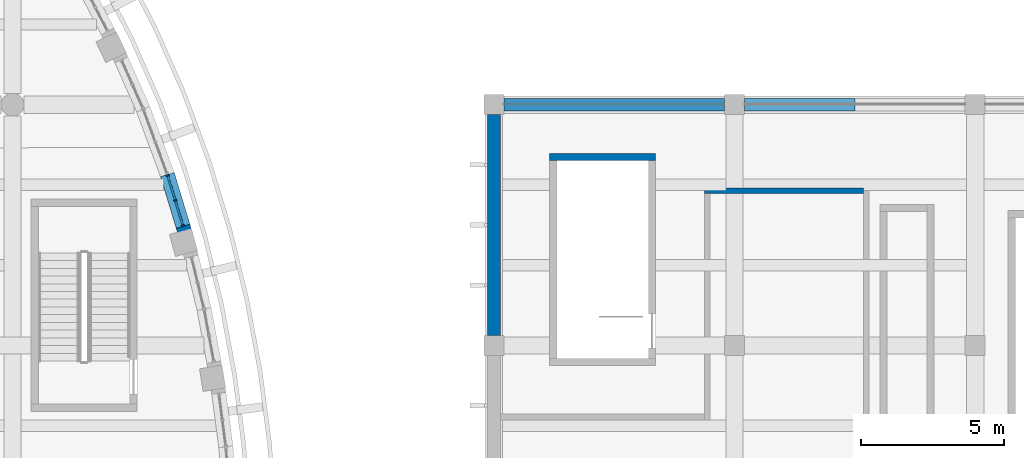
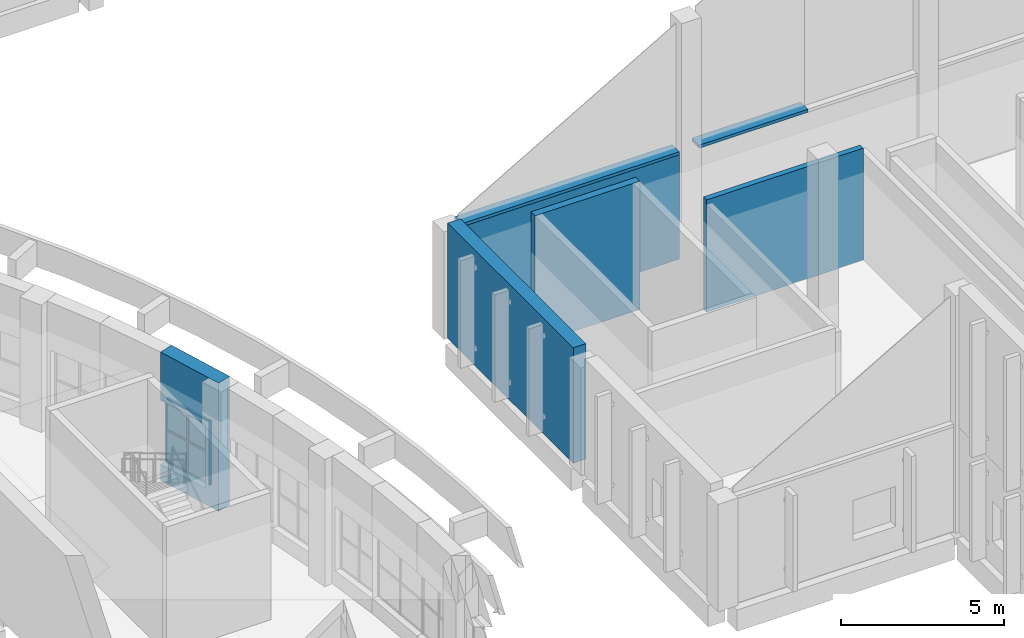
# One storey, part 45 of 79: 9 members, 7 walls, 4 plates, 1 opening, 1 element without a shape of its own.
"""IFC4 building model written with IfcOpenShell, lengths in metres."""

from ifc_helpers import new_model, si_unit, direction, frame, frame_2d, origin, origin_2d, place, context, subcontext, project, spatial, rectangle, extrude, material, layer, layer_set, material_profile, profile_set, type_object, element, fill, aggregate, save


model = new_model("IFC4")

# Units and contexts
model_context = context("Model", 3, precision=1e-05, world=origin(), true_north=direction((0.0, 1.0)))
body_context = subcontext(model_context, "Body", "Model", "MODEL_VIEW")
ifc_project = project(units=[si_unit("LENGTHUNIT", "METRE"), si_unit("AREAUNIT", "SQUARE_METRE"), si_unit("VOLUMEUNIT", "CUBIC_METRE"), si_unit("PLANEANGLEUNIT", "RADIAN"), si_unit("MASSUNIT", "GRAM", prefix="KILO")], contexts=[model_context])

# Site, building, storey
site_placement = place(None, origin())
site = spatial("IfcSite", under=ifc_project, at=site_placement, CompositionType="ELEMENT")
building_placement = place(site_placement, origin())
building = spatial("IfcBuilding", under=site, at=building_placement, Name="Larchfold Concert Hall", CompositionType="ELEMENT")
storey_placement = place(building_placement, frame((0.0, 0.0, 14.39990234375)))
storey = spatial("IfcBuildingStorey", under=building, at=storey_placement, Name="L03", CompositionType="ELEMENT", Elevation=14.39990234375)

# Curtain wall, members, plates
ifc_material_1 = material(Name="Anodised graphite aluminium curtain wall", Category="aluminium")
ifc_layer_1 = layer(ifc_material_1, 0.10009765625)
ifc_layer_set_1 = layer_set([ifc_layer_1], Name="Anodised graphite aluminium curtain wall")
curtain_wall_type = type_object("IfcCurtainWallType", Name="Curtain wall GB", PredefinedType="NOTDEFINED", material=ifc_layer_set_1)
curtain_wall_placement = place(storey_placement, origin())
curtain_wall = element("IfcCurtainWall", 1, at=curtain_wall_placement, inside=storey, type_object=curtain_wall_type, Name="Curtain wall CW0006", PredefinedType="NOTDEFINED")
ifc_material_2 = material(Name="Anodised graphite aluminium mullion", Category="aluminium")
ifc_material_profile_1 = material_profile(ifc_material_2, rectangle(XDim=0.10009765625, YDim=0.06005859375, at=origin_2d()))
ifc_profile_set_1 = profile_set([ifc_material_profile_1], Name="Anodised graphite aluminium mullion")
member_type_1 = type_object("IfcMemberType", Name="Aluminium mullion 60x100", PredefinedType="MULLION", material=ifc_profile_set_1)
member_1_placement = place(storey_placement, frame((65.34619140625, 97.1865234375, 0.60009765625), z_axis=(0.0, 0.0, 1.0), x_axis=(-0.956854198164, -0.290568483246, 0.0)))
member_1 = element("IfcMember", 2, at=member_1_placement, type_object=member_type_1, Name="CW0006 mullion 1", PredefinedType="MULLION", context=body_context, shape_type="SweptSolid", body=[
    extrude(rectangle(XDim=0.10009765625, YDim=0.06005859375, at=origin_2d()), origin(), (0.0, 0.0, 1.0), 2.39990234375),
])
member_2_placement = place(storey_placement, frame((65.081298828125, 98.05908203125, 0.60009765625), z_axis=(0.0, 0.0, 1.0), x_axis=(-0.956854198164, -0.290568483246, 0.0)))
member_2 = element("IfcMember", 3, at=member_2_placement, type_object=member_type_1, Name="CW0006 mullion 2", PredefinedType="MULLION", context=body_context, shape_type="SweptSolid", body=[
    extrude(rectangle(XDim=0.10009765625, YDim=0.06005859375, at=origin_2d()), origin(), (0.0, 0.0, 1.0), 2.39990234375),
])
member_3_placement = place(storey_placement, frame((64.81640625, 98.931396484375, 0.60009765625), z_axis=(0.0, 0.0, 1.0), x_axis=(-0.956854198164, -0.290568483246, 0.0)))
member_3 = element("IfcMember", 4, at=member_3_placement, type_object=member_type_1, Name="CW0006 mullion 3", PredefinedType="MULLION", context=body_context, shape_type="SweptSolid", body=[
    extrude(rectangle(XDim=0.10009765625, YDim=0.06005859375, at=origin_2d()), origin(), (0.0, 0.0, 1.0), 2.39990234375),
])
ifc_material_3 = material(Name="Anodised graphite aluminium transom", Category="aluminium")
ifc_material_profile_2 = material_profile(ifc_material_3, rectangle(XDim=0.080078125, YDim=0.06005859375, at=origin_2d()))
ifc_profile_set_2 = profile_set([ifc_material_profile_2], Name="Anodised graphite aluminium transom")
member_type_2 = type_object("IfcMemberType", Name="Aluminium transom 60x80", PredefinedType="USERDEFINED", material=ifc_profile_set_2)
member_4_placement = place(storey_placement, frame((65.337646484375, 97.215087890625, 0.630126953125), z_axis=(-0.290579997422, 0.956850701572, 0.0), x_axis=(-0.956850701572, -0.290579997422, 0.0)))
member_4 = element("IfcMember", 5, at=member_4_placement, type_object=member_type_2, Name="CW0006 transom 1.1", ObjectType="TRANSOM", PredefinedType="USERDEFINED", context=body_context, shape_type="SweptSolid", body=[
    extrude(rectangle(XDim=0.080078125, YDim=0.06005859375, at=origin_2d()), origin(), (0.0, 0.0, 1.0), 0.85205078125),
])
member_5_placement = place(storey_placement, frame((65.337646484375, 97.215087890625, 1.800048828125), z_axis=(-0.290579997422, 0.956850701572, 0.0), x_axis=(-0.956850701572, -0.290579997422, 0.0)))
member_5 = element("IfcMember", 6, at=member_5_placement, type_object=member_type_2, Name="CW0006 transom 1.2", ObjectType="TRANSOM", PredefinedType="USERDEFINED", context=body_context, shape_type="SweptSolid", body=[
    extrude(rectangle(XDim=0.080078125, YDim=0.06005859375, at=origin_2d()), origin(), (0.0, 0.0, 1.0), 0.85205078125),
])
member_6_placement = place(storey_placement, frame((65.337646484375, 97.215087890625, 2.969970703125), z_axis=(-0.290579997422, 0.956850701572, 0.0), x_axis=(-0.956850701572, -0.290579997422, 0.0)))
member_6 = element("IfcMember", 7, at=member_6_placement, type_object=member_type_2, Name="CW0006 transom 1.3", ObjectType="TRANSOM", PredefinedType="USERDEFINED", context=body_context, shape_type="SweptSolid", body=[
    extrude(rectangle(XDim=0.080078125, YDim=0.06005859375, at=origin_2d()), origin(), (0.0, 0.0, 1.0), 0.85205078125),
])
member_7_placement = place(storey_placement, frame((65.072509765625, 98.087646484375, 0.630126953125), z_axis=(-0.290579997422, 0.956850701572, 0.0), x_axis=(-0.956850701572, -0.290579997422, 0.0)))
member_7 = element("IfcMember", 8, at=member_7_placement, type_object=member_type_2, Name="CW0006 transom 2.1", ObjectType="TRANSOM", PredefinedType="USERDEFINED", context=body_context, shape_type="SweptSolid", body=[
    extrude(rectangle(XDim=0.080078125, YDim=0.06005859375, at=origin_2d()), origin(), (0.0, 0.0, 1.0), 0.85205078125),
])
member_8_placement = place(storey_placement, frame((65.072509765625, 98.087646484375, 1.800048828125), z_axis=(-0.290579997422, 0.956850701572, 0.0), x_axis=(-0.956850701572, -0.290579997422, 0.0)))
member_8 = element("IfcMember", 9, at=member_8_placement, type_object=member_type_2, Name="CW0006 transom 2.2", ObjectType="TRANSOM", PredefinedType="USERDEFINED", context=body_context, shape_type="SweptSolid", body=[
    extrude(rectangle(XDim=0.080078125, YDim=0.06005859375, at=origin_2d()), origin(), (0.0, 0.0, 1.0), 0.85205078125),
])
member_9_placement = place(storey_placement, frame((65.072509765625, 98.087646484375, 2.969970703125), z_axis=(-0.290579997422, 0.956850701572, 0.0), x_axis=(-0.956850701572, -0.290579997422, 0.0)))
member_9 = element("IfcMember", 10, at=member_9_placement, type_object=member_type_2, Name="CW0006 transom 2.3", ObjectType="TRANSOM", PredefinedType="USERDEFINED", context=body_context, shape_type="SweptSolid", body=[
    extrude(rectangle(XDim=0.080078125, YDim=0.06005859375, at=origin_2d()), origin(), (0.0, 0.0, 1.0), 0.85205078125),
])
ifc_material_4 = material(Name="Insulated glazing unit, glass", Category="glass")
ifc_layer_2 = layer(ifc_material_4, 0.02392578125)
ifc_layer_set_2 = layer_set([ifc_layer_2], Name="Insulated glazing unit, glass")
plate_type_1 = type_object("IfcPlateType", Name="Glass panel 24", PredefinedType="CURTAIN_PANEL", material=ifc_layer_set_2)
plate_1_placement = place(storey_placement, frame((65.2138671875, 97.622802734375, 1.830078125), z_axis=(0.0, 0.0, 1.0), x_axis=(-0.290568483246, 0.956854198164, 0.0)))
plate_1 = element("IfcPlate", 11, at=plate_1_placement, type_object=plate_type_1, Name="CW0006 panel 1.2", PredefinedType="CURTAIN_PANEL", context=body_context, shape_type="SweptSolid", body=[
    extrude(rectangle(XDim=0.851806640625, YDim=0.02392578125, at=origin_2d()), origin(), (0.0, 0.0, 1.0), 1.10986328125),
])
plate_2_placement = place(storey_placement, frame((64.94873046875, 98.4951171875, 1.830078125), z_axis=(0.0, 0.0, 1.0), x_axis=(-0.290568483246, 0.956854198164, 0.0)))
plate_2 = element("IfcPlate", 12, at=plate_2_placement, type_object=plate_type_1, Name="CW0006 panel 2.2", PredefinedType="CURTAIN_PANEL", context=body_context, shape_type="SweptSolid", body=[
    extrude(rectangle(XDim=0.851806640625, YDim=0.02392578125, at=origin_2d()), origin(), (0.0, 0.0, 1.0), 1.10986328125),
])
ifc_material_5 = material(Name="White insulated panel")
ifc_layer_3 = layer(ifc_material_5, 0.050048828125)
ifc_layer_set_3 = layer_set([ifc_layer_3], Name="White insulated panel")
plate_type_2 = type_object("IfcPlateType", Name="Insulated spandrel panel 50", PredefinedType="CURTAIN_PANEL", material=ifc_layer_set_3)
plate_3_placement = place(storey_placement, frame((65.2138671875, 97.622802734375, 0.66015625), z_axis=(0.0, 0.0, 1.0), x_axis=(-0.290568483246, 0.956854198164, 0.0)))
plate_3 = element("IfcPlate", 13, at=plate_3_placement, type_object=plate_type_2, Name="CW0006 panel 1.1", PredefinedType="CURTAIN_PANEL", context=body_context, shape_type="SweptSolid", body=[
    extrude(rectangle(XDim=0.851806640625, YDim=0.050048828125, at=origin_2d()), origin(), (0.0, 0.0, 1.0), 1.10986328125),
])
plate_4_placement = place(storey_placement, frame((64.94873046875, 98.4951171875, 0.66015625), z_axis=(0.0, 0.0, 1.0), x_axis=(-0.290568483246, 0.956854198164, 0.0)))
plate_4 = element("IfcPlate", 14, at=plate_4_placement, type_object=plate_type_2, Name="CW0006 panel 2.1", PredefinedType="CURTAIN_PANEL", context=body_context, shape_type="SweptSolid", body=[
    extrude(rectangle(XDim=0.851806640625, YDim=0.050048828125, at=origin_2d()), origin(), (0.0, 0.0, 1.0), 1.10986328125),
])
aggregate(curtain_wall, [member_1, member_2, member_3, member_4, member_5, member_6, plate_3, plate_1, member_7, member_8, member_9, plate_4, plate_2])

# Walls
ifc_material_6 = material(Name="Plasterboard partition on steel studs", Category="steel")
ifc_layer_4 = layer(ifc_material_6, 0.199951171875)
ifc_layer_set_4 = layer_set([ifc_layer_4], Name="Plasterboard partition on steel studs")
wall_type_1 = type_object("IfcWallType", Name="Acoustic partition 200", PredefinedType="PARTITIONING", material=ifc_layer_set_4)
wall_1_placement = place(storey_placement, frame((89.10009765625, 98.39794921875, 0.0), z_axis=(0.0, 0.0, 1.0), x_axis=(-0.999999921604, 0.000395969875, 0.0)))
element("IfcWall", 15, at=wall_1_placement, inside=storey, type_object=wall_type_1, Name="Partition IW0057", PredefinedType="PARTITIONING", context=body_context, shape_type="SweptSolid", body=[
    extrude(rectangle(XDim=5.549072265625, YDim=0.199951171875, at=frame_2d((2.7744140625, 0.0))), origin(), (0.0, 0.0, 1.0), 4.2001953125),
])
ifc_material_7 = material(Name="Charred larch cladding on mineral wool and CLT", Category="wood")
ifc_layer_5 = layer(ifc_material_7, 0.449951171875)
ifc_layer_set_5 = layer_set([ifc_layer_5], Name="Charred larch cladding on mineral wool and CLT")
wall_type_2 = type_object("IfcWallType", Name="Charred larch infill wall 450", PredefinedType="SOLIDWALL", material=ifc_layer_set_5)
wall_2_placement = place(storey_placement, frame((84.25, 101.39990234375, 0.0), z_axis=(0.0, 0.0, 1.0), x_axis=(-1.0, 0.0, 0.0)))
element("IfcWall", 16, at=wall_2_placement, inside=storey, type_object=wall_type_2, Name="Infill wall W5098", PredefinedType="SOLIDWALL", context=body_context, shape_type="SweptSolid", body=[
    extrude(rectangle(XDim=7.699951171875, YDim=0.449951171875, at=frame_2d((3.85009765625, 0.0))), origin(), (0.0, 0.0, 1.0), 3.900146484375),
])
wall_3_placement = place(storey_placement, frame((76.199951171875, 101.0498046875, 0.0), z_axis=(0.0, 0.0, 1.0), x_axis=(0.0, -1.0, 0.0)))
element("IfcWall", 17, at=wall_3_placement, inside=storey, type_object=wall_type_2, Name="Infill wall W5099", PredefinedType="SOLIDWALL", context=body_context, shape_type="SweptSolid", body=[
    extrude(rectangle(XDim=7.69970703125, YDim=0.449951171875, at=frame_2d((3.849853515625, 0.0))), origin(), (0.0, 0.0, 1.0), 4.32470703125),
])
wall_4_placement = place(storey_placement, frame((84.25, 101.39990234375, 3.900146484375), z_axis=(0.0, 0.0, 1.0), x_axis=(-1.0, 0.0, 0.0)))
element("IfcWall", 18, at=wall_4_placement, inside=storey, type_object=wall_type_2, Name="Infill wall W5198", PredefinedType="SOLIDWALL", context=body_context, shape_type="SweptSolid", body=[
    extrude(rectangle(XDim=7.699951171875, YDim=0.449951171875, at=frame_2d((3.85009765625, 0.0))), origin(), (0.0, 0.0, 1.0), 0.114501953125),
])
wall_5_placement = place(storey_placement, frame((88.800048828125, 101.39990234375, 3.900146484375), z_axis=(0.0, 0.0, 1.0), x_axis=(-1.0, 0.0, 0.0)))
element("IfcWall", 19, at=wall_5_placement, inside=storey, type_object=wall_type_2, Name="Infill wall W5200", PredefinedType="SOLIDWALL", context=body_context, shape_type="SweptSolid", body=[
    extrude(rectangle(XDim=3.849853515625, YDim=0.449951171875, at=frame_2d((1.9248046875, 0.0))), origin(), (0.0, 0.0, 1.0), 0.114501953125),
])
ifc_material_8 = material(Name="Concrete C40/50", Category="concrete")
ifc_layer_6 = layer(ifc_material_8, 0.25)
ifc_layer_set_6 = layer_set([ifc_layer_6], Name="Concrete C40/50")
wall_type_3 = type_object("IfcWallType", Name="Wall RC 250 stair core", PredefinedType="SOLIDWALL", material=ifc_layer_set_6)
wall_6_placement = place(storey_placement, frame((78.14990234375, 99.574951171875, 0.0), z_axis=(0.0, 0.0, 1.0), x_axis=(1.0, 0.0, 0.0)))
element("IfcWall", 20, at=wall_6_placement, inside=storey, type_object=wall_type_3, Name="Wall W0095", PredefinedType="SOLIDWALL", context=body_context, shape_type="SweptSolid", body=[
    extrude(rectangle(XDim=3.7001953125, YDim=0.25, at=frame_2d((1.85009765625, 0.0))), origin(), (0.0, 0.0, 1.0), 4.800048828125),
])

# Wall, opening
ifc_material_9 = material(Name="Concrete C30/37", Category="concrete")
ifc_layer_7 = layer(ifc_material_9, 0.5)
ifc_layer_set_7 = layer_set([ifc_layer_7], Name="Concrete C30/37")
wall_type_4 = type_object("IfcWallType", Name="Wall RC 500 drum facade", PredefinedType="SOLIDWALL", material=ifc_layer_set_7)
wall_7_placement = place(storey_placement, frame((65.514892578125, 96.63134765625, 0.0), z_axis=(0.0, 0.0, 1.0), x_axis=(-0.290594767559, 0.956846215997, 0.0)))
wall_7 = element("IfcWall", 21, at=wall_7_placement, inside=storey, type_object=wall_type_4, Name="Wall DW006", PredefinedType="SOLIDWALL", context=body_context, shape_type="SweptSolid", body=[
    extrude(rectangle(XDim=2.433837890625, YDim=0.5, at=frame_2d((1.216796875, 0.0))), origin(), (0.0, 0.0, 1.0), 4.800048828125),
])
opening_placement = place(wall_7_placement, frame((0.550048828125, 0.0, 0.60009765625)))
opening = element("IfcOpeningElement", 22, at=opening_placement, cuts=wall_7, Name="Opening CW0006", PredefinedType="OPENING", context=body_context, shape_type="SweptSolid", body=[
    extrude(rectangle(XDim=1.8837890625, YDim=2.39990234375, at=frame_2d((0.94189453125, 1.199951171875))), frame((0.0, 0.260009765625, 0.0), z_axis=(0.0, -1.0, 0.0), x_axis=(1.0, 0.0, 0.0)), (0.0, 0.0, 1.0), 0.52001953125),
])

fill(opening, curtain_wall)

save(model, "model.ifc")
